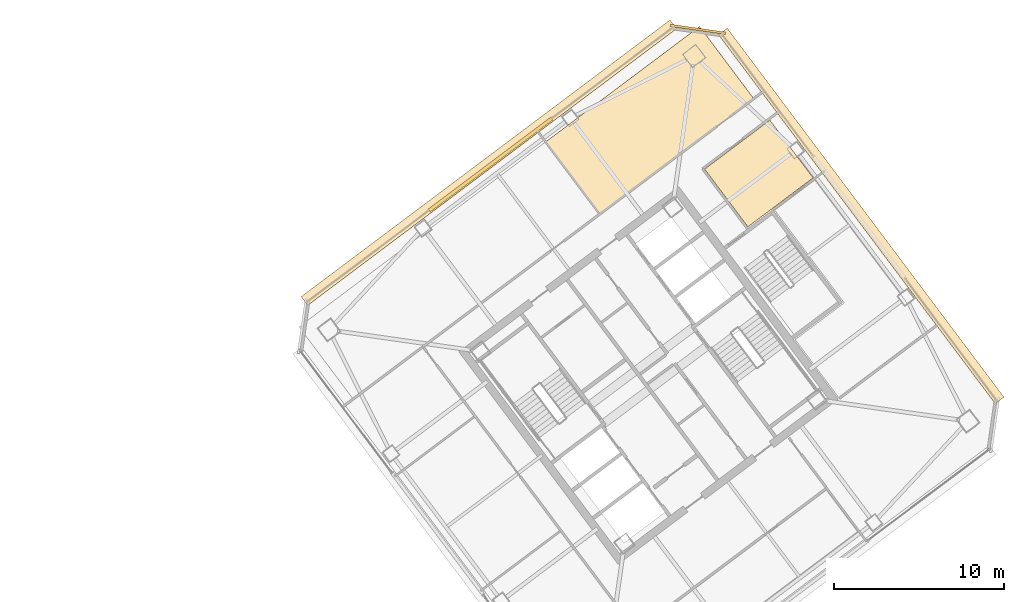
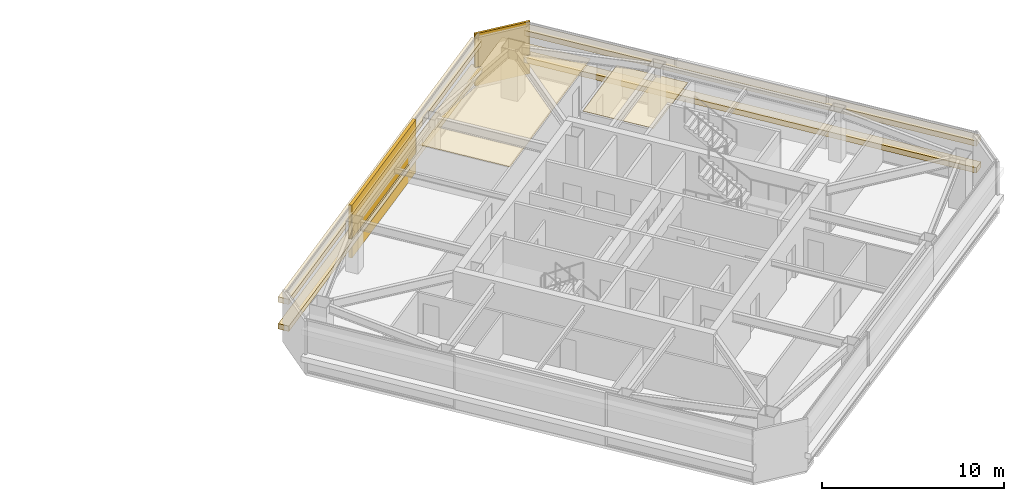
# One storey, part 39 of 39: 8 coverings.
"""IFC4 building model written with IfcOpenShell, lengths in metres."""

import ifcopenshell
import ifcopenshell.guid

model = None  # the IFC model being written
_history = None  # IfcOwnerHistory: only IFC2X3 demands one
_inside = {}  # id of a spatial element -> (the spatial element, [elements in it])
_under = {}  # id of a project, library or spatial element -> (it, [spatial elements below it])
_declared = {}  # id of a project -> (the project, [libraries it declares])
_typed = {}  # id of a type object -> (the type object, [elements of that type])
_made_of = {}  # id of a material, layer set ... -> (it, [elements and type objects made of it])


def new_model(schema):
    """Start an empty IFC model of exactly this schema.

    Asked for "IFC4X3", IfcOpenShell would pick the latest addendum, in which some entities
    have other attributes; the version numbers below select the first issue.
    IFC2X3 requires an IfcOwnerHistory on every rooted entity: one is made here for all.
    """
    global model, _history
    if schema == "IFC4X3":
        model = ifcopenshell.file(schema_version=(4, 3, 0, 0))
    else:
        model = ifcopenshell.file(schema=schema)
    _inside.clear()
    _under.clear()
    _declared.clear()
    _typed.clear()
    _made_of.clear()
    _history = None
    if model.schema == "IFC2X3":
        org = make("IfcOrganization", Name="unknown")
        user = make(
            "IfcPersonAndOrganization",
            ThePerson=make("IfcPerson", FamilyName="unknown"),
            TheOrganization=org,
        )
        app = make(
            "IfcApplication",
            ApplicationDeveloper=org,
            Version="unknown",
            ApplicationFullName="unknown",
            ApplicationIdentifier="unknown",
        )
        _history = make(
            "IfcOwnerHistory",
            OwningUser=user,
            OwningApplication=app,
            ChangeAction="ADDED",
            CreationDate=0,
        )
    return model


def make(cls, **values):
    """One entity of the class cls with the attributes given. An attribute that is None is left unset."""
    return model.create_entity(
        cls, **{name: value for name, value in values.items() if value is not None}
    )


def rooted(cls, **values):
    """An entity with a GlobalId (a new one), such as an element, a storey or a relation."""
    return make(cls, GlobalId=ifcopenshell.guid.new(), OwnerHistory=_history, **values)


def si_unit(unit_type, name, prefix=None):
    """IfcSIUnit, for example si_unit("LENGTHUNIT", "METRE", prefix="MILLI")."""
    return make("IfcSIUnit", UnitType=unit_type, Prefix=prefix, Name=name)


def assignment(units):
    """IfcUnitAssignment: the units of a project."""
    return None if units is None else make("IfcUnitAssignment", Units=units)


def point(xyz):
    """IfcCartesianPoint."""
    return None if xyz is None else make("IfcCartesianPoint", Coordinates=xyz)


def direction(xyz):
    """IfcDirection."""
    return None if xyz is None else make("IfcDirection", DirectionRatios=xyz)


def frame(location, z_axis=None, x_axis=None):
    """IfcAxis2Placement3D, a coordinate frame: its origin and axes. An axis left out is left unset."""
    return make(
        "IfcAxis2Placement3D",
        Location=point(location),
        Axis=direction(z_axis),
        RefDirection=direction(x_axis),
    )


def frame_2d(location, x_axis=None):
    """IfcAxis2Placement2D, a coordinate frame in the plane: its origin and x axis."""
    return make(
        "IfcAxis2Placement2D", Location=point(location), RefDirection=direction(x_axis)
    )


def origin():
    """The frame at (0, 0, 0) with its axes left unset."""
    return frame((0.0, 0.0, 0.0))


def origin_2d():
    """The frame at (0, 0) in the plane with its x axis left unset."""
    return frame_2d((0.0, 0.0))


def place(relative_to, where):
    """IfcLocalPlacement: puts the frame where relative to a parent placement (None: the world)."""
    return make(
        "IfcLocalPlacement", PlacementRelTo=relative_to, RelativePlacement=where
    )


def context(
    kind, dimensions, precision=None, world=None, true_north=None, identifier=None
):
    """IfcGeometricRepresentationContext, for example the 3D "Model" context."""
    return make(
        "IfcGeometricRepresentationContext",
        ContextIdentifier=identifier,
        ContextType=kind,
        CoordinateSpaceDimension=dimensions,
        Precision=precision,
        WorldCoordinateSystem=world,
        TrueNorth=true_north,
    )


def subcontext(parent, identifier, kind, view, scale=None):
    """IfcGeometricRepresentationSubContext, for example "Body" below "Model"."""
    return make(
        "IfcGeometricRepresentationSubContext",
        ContextIdentifier=identifier,
        ContextType=kind,
        ParentContext=parent,
        TargetScale=scale,
        TargetView=view,
    )


def project(units=None, contexts=None):
    """IfcProject with its units and contexts."""
    return rooted(
        "IfcProject",
        Name="project",
        RepresentationContexts=contexts,
        UnitsInContext=assignment(units),
    )


def spatial(cls, under=None, at=None, **own):
    """A site, building, storey or space (cls), placed at a placement, below another one or the project."""
    s = rooted(cls, ObjectPlacement=at, **own)
    if under is not None:
        _under.setdefault(under.id(), (under, []))[1].append(s)
    return s


def polyline(points):
    """IfcPolyline through the points."""
    return make("IfcPolyline", Points=[point(p) for p in points])


def profile(cls, at=None, kind="AREA", **sizes):
    """A parametric profile (cls). Its sizes go by their IFC names, for example OverallWidth=200.0."""
    return make(cls, ProfileType=kind, Position=at, **sizes)


def rectangle(**sizes):
    """IfcRectangleProfileDef."""
    return profile("IfcRectangleProfileDef", **sizes)


def outline(outer, holes=None, kind="AREA"):
    """IfcArbitraryClosedProfileDef: a profile drawn as a closed curve; with holes, ...WithVoids."""
    if holes is None:
        return make("IfcArbitraryClosedProfileDef", ProfileType=kind, OuterCurve=outer)
    return make(
        "IfcArbitraryProfileDefWithVoids",
        ProfileType=kind,
        OuterCurve=outer,
        InnerCurves=holes,
    )


def extrude(swept, where, along, depth):
    """IfcExtrudedAreaSolid: the profile swept, set in the frame where, extruded along a direction by depth."""
    return make(
        "IfcExtrudedAreaSolid",
        SweptArea=swept,
        Position=where,
        ExtrudedDirection=direction(along),
        Depth=depth,
    )


def shape(context_of_items, identifier, shape_type, items):
    """IfcShapeRepresentation: the items that make up one representation, for example the "Body"."""
    return make(
        "IfcShapeRepresentation",
        ContextOfItems=context_of_items,
        RepresentationIdentifier=identifier,
        RepresentationType=shape_type,
        Items=items,
    )


def material(Name=None, Category=None):
    """IfcMaterial."""
    return make("IfcMaterial", Name=Name, Category=Category)


def layer(
    of_material, thickness, ventilated=None, Name=None, Category=None, Priority=None
):
    """IfcMaterialLayer: one layer of a wall or slab, of a material (None: an air gap)."""
    return make(
        "IfcMaterialLayer",
        Material=of_material,
        LayerThickness=thickness,
        IsVentilated=ventilated,
        Name=Name,
        Category=Category,
        Priority=Priority,
    )


def layer_set(layers, Name=None):
    """IfcMaterialLayerSet."""
    return make("IfcMaterialLayerSet", MaterialLayers=layers, LayerSetName=Name)


def made_of(thing, what):
    """Note that an element or type object is made of a material, layer set ...; save() writes the relation."""
    if what is not None:
        _made_of.setdefault(what.id(), (what, []))[1].append(thing)
    return thing


def type_object(cls, material=None, **own):
    """A type object (cls), such as IfcWallType, which elements share."""
    return made_of(rooted(cls, **own), material)


def element(
    cls,
    number,
    at=None,
    inside=None,
    cuts=None,
    type_object=None,
    material=None,
    context=None,
    identifier="Body",
    shape_type=None,
    held_by="IfcProductDefinitionShape",
    body=None,
    shapes=None,
    **own,
):
    """One element of the class cls, such as IfcWall. Its Tag is "e" and its number.

    at: its placement. inside: the storey or other place that contains it. cuts: it is an
    opening in that element (IfcRelVoidsElement). A single representation is given by context,
    identifier, shape_type and body (its items); several are given by shapes. held_by: the class
    of the entity that holds the representations. save() writes the other relations.
    """
    e = rooted(cls, Tag="e%d" % number, ObjectPlacement=at, **own)
    if body is not None:
        shapes = [shape(context, identifier, shape_type, body)]
    if shapes is not None:
        e.Representation = make(held_by, Representations=shapes)
    if inside is not None:
        _inside.setdefault(inside.id(), (inside, []))[1].append(e)
    if cuts is not None:
        rooted(
            "IfcRelVoidsElement", RelatingBuildingElement=cuts, RelatedOpeningElement=e
        )
    if type_object is not None:
        _typed.setdefault(type_object.id(), (type_object, []))[1].append(e)
    return made_of(e, material)


def aggregate(whole, parts):
    """IfcRelAggregates: a whole, such as a stair, and the parts it consists of."""
    return rooted("IfcRelAggregates", RelatingObject=whole, RelatedObjects=parts)


def save(model, path):
    """Write the relations noted so far, then the file.

    IfcRelAggregates (storeys below a building ...), IfcRelContainedInSpatialStructure (elements
    in a storey), IfcRelDefinesByType, IfcRelAssociatesMaterial and IfcRelDeclares: one each for
    every whole, place, type object, material and project.
    """
    for whole, parts in _under.values():
        aggregate(whole, parts)
    for where, things in _inside.values():
        rooted(
            "IfcRelContainedInSpatialStructure",
            RelatedElements=things,
            RelatingStructure=where,
        )
    for kind, things in _typed.values():
        rooted("IfcRelDefinesByType", RelatedObjects=things, RelatingType=kind)
    for what, things in _made_of.values():
        rooted("IfcRelAssociatesMaterial", RelatedObjects=things, RelatingMaterial=what)
    for by, libraries in _declared.values():
        rooted("IfcRelDeclares", RelatingContext=by, RelatedDefinitions=libraries)
    model.write(path)


model = new_model("IFC4")

# Units and contexts
model_context = context("Model", 3, precision=1e-05, world=origin(), true_north=direction((0.0, 1.0)))
body_context = subcontext(model_context, "Body", "Model", "MODEL_VIEW")
ifc_project = project(units=[si_unit("LENGTHUNIT", "METRE"), si_unit("AREAUNIT", "SQUARE_METRE"), si_unit("VOLUMEUNIT", "CUBIC_METRE"), si_unit("PLANEANGLEUNIT", "RADIAN"), si_unit("MASSUNIT", "GRAM", prefix="KILO")], contexts=[model_context])

# Site, building, storey
site_placement = place(None, origin())
site = spatial("IfcSite", under=ifc_project, at=site_placement, CompositionType="ELEMENT")
building_placement = place(site_placement, origin())
building = spatial("IfcBuilding", under=site, at=building_placement, Name="Tashvorn Skyway Center", CompositionType="ELEMENT")
storey_placement = place(building_placement, frame((0.0, 0.0, 207.75)))
storey = spatial("IfcBuildingStorey", under=building, at=storey_placement, Name="L56", CompositionType="ELEMENT", Elevation=207.75)

# Coverings
ifc_material_1 = material(Name="Precast concrete C40/50", Category="concrete")
ifc_layer_1 = layer(ifc_material_1, 0.199951171875)
ifc_layer_set_1 = layer_set([ifc_layer_1], Name="Precast concrete C40/50")
covering_type_1 = type_object("IfcCoveringType", Name="COV-BRACE-CLAD", PredefinedType="CLADDING", material=ifc_layer_set_1)
covering_1_placement = place(storey_placement, frame((104.7119140625, 44.384033203125, 0.0), z_axis=(0.0, 0.0, 1.0), x_axis=(0.799999996291, 0.600000004945, 0.0)))
element("IfcCovering", 1, at=covering_1_placement, inside=storey, type_object=covering_type_1, Name="Tower 2 L56 North Unitised Curtain Wall Mega-Brace Cladding Band 1", PredefinedType="CLADDING", context=body_context, shape_type="SweptSolid", body=[
    extrude(rectangle(XDim=8.98681640625, YDim=0.199951171875, at=origin_2d()), origin(), (0.0, 0.0, 1.0), 3.550048828125),
])
ifc_material_2 = material(Name="Mineral-fibre acoustic ceiling tile on suspended grid")
ifc_layer_2 = layer(ifc_material_2, 0.02001953125)
ifc_layer_set_2 = layer_set([ifc_layer_2], Name="Mineral-fibre acoustic ceiling tile on suspended grid")
covering_type_2 = type_object("IfcCoveringType", Name="COV-CEIL-20", PredefinedType="CEILING", material=ifc_layer_set_2)
covering_2_placement = place(storey_placement, frame((0.0, 0.0, 2.702880859375)))
element("IfcCovering", 2, at=covering_2_placement, inside=storey, type_object=covering_type_2, Name="Tower 2 L56 Wellness Clinic Acoustic Ceiling", PredefinedType="CEILING", context=body_context, shape_type="SweptSolid", body=[
    extrude(outline(polyline([(111.139892578125, 41.47998046875), (120.179931640625, 48.260009765625), (117.0, 52.5), (107.9599609375, 45.719970703125), (111.139892578125, 41.47998046875)])), origin(), (0.0, 0.0, 1.0), 0.02001953125),
])
covering_3_placement = place(storey_placement, frame((0.0, 0.0, 2.702880859375)))
element("IfcCovering", 3, at=covering_3_placement, inside=storey, type_object=covering_type_2, Name="Tower 2 L56 Operations Control Room Acoustic Ceiling", PredefinedType="CEILING", context=body_context, shape_type="SweptSolid", body=[
    extrude(outline(polyline([(119.840087890625, 40.72998046875), (117.2958984375, 44.1220703125), (121.1279296875, 46.99609375), (123.672119140625, 43.60400390625), (119.840087890625, 40.72998046875)])), origin(), (0.0, 0.0, 1.0), 0.02001953125),
])
ifc_material_3 = material(Name="Perforated ceramic-coated bronze aluminium solar screen", Category="aluminium")
ifc_layer_3 = layer(ifc_material_3, 0.85009765625)
ifc_layer_set_3 = layer_set([ifc_layer_3], Name="Perforated ceramic-coated bronze aluminium solar screen")
covering_type_3 = type_object("IfcCoveringType", Name="COV-SOLAR-BAND", PredefinedType="CLADDING", material=ifc_layer_set_3)
for number, where, z_axis, x_axis, name in (
    (4, (104.6279296875, 44.49609375, 0.919921875), (0.0, 0.0, 1.0), (0.799999996291, 0.600000004945, 0.0), "L56 Perforated Ceramic-Metal Solar Screen Louvre Band North 1"),
    (5, (104.6279296875, 44.49609375, 2.7197265625), (0.0, 0.0, 1.0), (0.799999996291, 0.600000004945, 0.0), "L56 Perforated Ceramic-Metal Solar Screen Louvre Band North 2"),
    (6, (126.49609375, 41.3720703125, 0.919921875), (0.0, 0.0, 1.0), (0.600000004945, -0.799999996291, 0.0), "L56 Perforated Ceramic-Metal Solar Screen Louvre Band East 1"),
    (7, (126.49609375, 41.3720703125, 2.7197265625), (0.0, 0.0, 1.0), (0.600000004945, -0.799999996291, 0.0), "L56 Perforated Ceramic-Metal Solar Screen Louvre Band East 2"),
):
    element("IfcCovering", number, at=place(storey_placement, frame(where, z_axis=z_axis, x_axis=x_axis)), inside=storey, type_object=covering_type_3, Name=name, PredefinedType="CLADDING", context=body_context, shape_type="SweptSolid", body=[
        extrude(rectangle(XDim=27.080078125, YDim=0.639892578125, at=origin_2d()), origin(), (0.0, 0.0, 1.0), 0.360107421875),
    ])
ifc_layer_4 = layer(ifc_material_1, 0.35009765625)
ifc_layer_set_4 = layer_set([ifc_layer_4], Name="Precast concrete C40/50")
covering_type_4 = type_object("IfcCoveringType", Name="COV-STONE-TRIM", PredefinedType="CLADDING", material=ifc_layer_set_4)
covering_4_placement = place(storey_placement, frame((116.904052734375, 52.327880859375, 0.02001953125), z_axis=(0.0, 0.0, 1.0), x_axis=(0.989949494535, -0.141421350118, 0.0)))
element("IfcCovering", 8, at=covering_4_placement, inside=storey, type_object=covering_type_4, Name="Tower 2 L56 NE Mojave Limestone Corner Quoin", PredefinedType="CLADDING", context=body_context, shape_type="SweptSolid", body=[
    extrude(rectangle(XDim=3.271240234375, YDim=0.139892578125, at=origin_2d()), origin(), (0.0, 0.0, 1.0), 3.510009765625),
])

save(model, "model.ifc")
